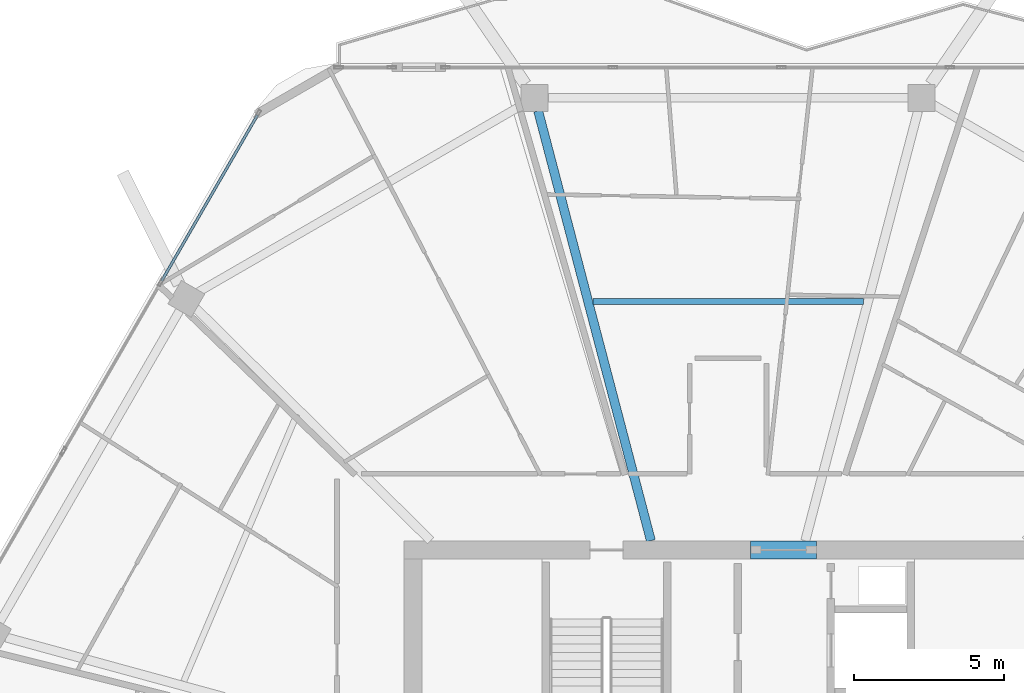
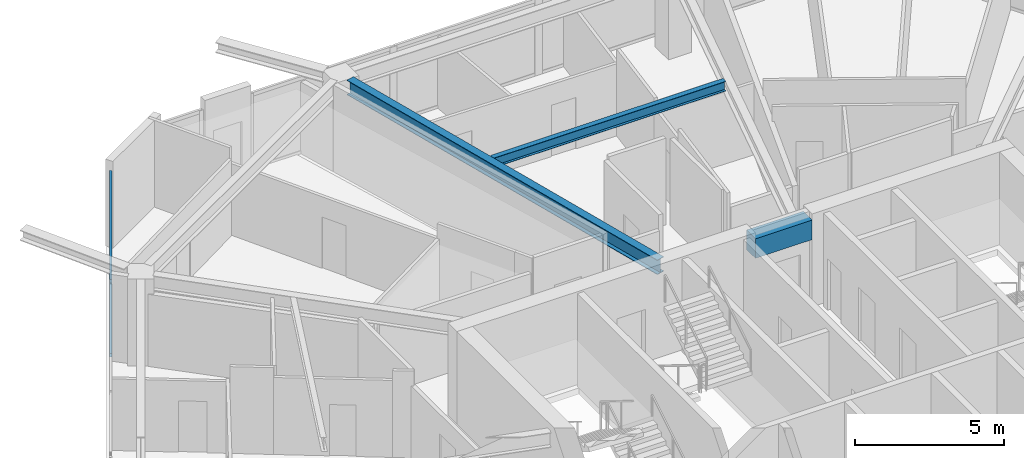
# One storey, part 12 of 26: 3 beams, 2 members, 1 element without a shape of its own.
"""IFC4 building model written with IfcOpenShell, lengths in metres."""

from ifc_helpers import new_model, si_unit, direction, frame, origin, origin_2d, place, context, subcontext, project, spatial, rectangle, hollow_rectangle, i_section, extrude, material, material_profile, profile_set, type_object, element, aggregate, save


model = new_model("IFC4")

# Units and contexts
model_context = context("Model", 3, precision=1e-05, world=origin(), true_north=direction((0.0, 1.0)))
body_context = subcontext(model_context, "Body", "Model", "MODEL_VIEW")
ifc_project = project(units=[si_unit("LENGTHUNIT", "METRE"), si_unit("AREAUNIT", "SQUARE_METRE"), si_unit("VOLUMEUNIT", "CUBIC_METRE"), si_unit("PLANEANGLEUNIT", "RADIAN"), si_unit("MASSUNIT", "GRAM", prefix="KILO")], contexts=[model_context])

# Site, building, storey
site_placement = place(None, origin())
site = spatial("IfcSite", under=ifc_project, at=site_placement, CompositionType="ELEMENT")
building_placement = place(site_placement, origin())
building = spatial("IfcBuilding", under=site, at=building_placement, Name="Zuhravey Tower", CompositionType="ELEMENT")
storey_placement = place(building_placement, frame((0.0, 0.0, 242.60009765625)))
storey = spatial("IfcBuildingStorey", under=building, at=storey_placement, Name="L61", CompositionType="ELEMENT", Elevation=242.60009765625)

# Beam
ifc_material_1 = material(Name="Concrete C50/60", Category="concrete")
ifc_material_profile_1 = material_profile(ifc_material_1, rectangle(XDim=0.60009765625, YDim=0.800048828125, at=origin_2d()), Name="RC-600x800")
ifc_profile_set_1 = profile_set([ifc_material_profile_1], Name="Concrete C50/60")
beam_type_1 = type_object("IfcBeamType", Name="Core Coupling Beam RC600x800", PredefinedType="LINTEL", material=ifc_profile_set_1)
beam_1_placement = place(storey_placement, frame((36.751953125, 41.5, 3.14990234375), z_axis=(1.0, 0.0, 0.0), x_axis=(0.0, 1.0, 0.0)))
element("IfcBeam", 1, at=beam_1_placement, inside=storey, type_object=beam_type_1, Name="L61 CB2 BM-L61-CB-N", PredefinedType="LINTEL", context=body_context, shape_type="SweptSolid", body=[
    extrude(rectangle(XDim=0.60009765625, YDim=0.800048828125, at=origin_2d()), origin(), (0.0, 0.0, 1.0), 2.196044921875),
])

# Curtain wall, members
ifc_material_2 = material(Name="Thermally broken anodised aluminium", Category="aluminium")
curtain_wall_type = type_object("IfcCurtainWallType", Name="Zone 3-4 High-Rise Curtain Wall CW4", PredefinedType="NOTDEFINED", material=ifc_material_2)
curtain_wall_placement = place(storey_placement, origin())
curtain_wall = element("IfcCurtainWall", 2, at=curtain_wall_placement, inside=storey, type_object=curtain_wall_type, Name="L61 CW4 CW-L61-F3-1", PredefinedType="NOTDEFINED")
ifc_material_3 = material(Name="Anodised aluminium", Category="aluminium")
ifc_material_profile_2 = material_profile(ifc_material_3, hollow_rectangle(XDim=0.090087890625, YDim=0.14990234375, WallThickness=0.0048828125, at=origin_2d()), Name="ALU-RHS-90x150x5")
ifc_profile_set_2 = profile_set([ifc_material_profile_2], Name="Anodised aluminium")
member_type = type_object("IfcMemberType", Name="Curtain-Wall Transom 90x150", PredefinedType="USERDEFINED", material=ifc_profile_set_2)
member_1_placement = place(storey_placement, frame((17.136962890625, 50.455322265625, 0.044921875), z_axis=(0.499980071345, 0.866036909293, 0.0), x_axis=(-0.866036909293, 0.499980071345, 0.0)))
member_1 = element("IfcMember", 3, at=member_1_placement, type_object=member_type, Name="CW4 transom 4.1", ObjectType="TRANSOM", PredefinedType="USERDEFINED", context=body_context, shape_type="SweptSolid", body=[
    extrude(hollow_rectangle(XDim=0.090087890625, YDim=0.14990234375, WallThickness=0.0048828125, at=origin_2d()), origin(), (0.0, 0.0, 1.0), 6.371337890625),
])
member_2_placement = place(storey_placement, frame((17.136962890625, 50.455322265625, 3.076904296875), z_axis=(0.499980071345, 0.866036909293, 0.0), x_axis=(-0.866036909293, 0.499980071345, 0.0)))
member_2 = element("IfcMember", 4, at=member_2_placement, type_object=member_type, Name="CW4 transom 4.2", ObjectType="TRANSOM", PredefinedType="USERDEFINED", context=body_context, shape_type="SweptSolid", body=[
    extrude(hollow_rectangle(XDim=0.090087890625, YDim=0.14990234375, WallThickness=0.0048828125, at=origin_2d()), origin(), (0.0, 0.0, 1.0), 6.371337890625),
])
aggregate(curtain_wall, [member_1, member_2])

# Beams
ifc_material_4 = material(Name="Steel SM355", Category="steel")
ifc_material_profile_3 = material_profile(ifc_material_4, i_section(OverallWidth=0.300048828125, OverallDepth=0.60009765625, WebThickness=0.011962890625, FlangeThickness=0.02001953125, at=origin_2d()), Name="H-600x300x12x20")
ifc_profile_set_3 = profile_set([ifc_material_profile_3], Name="Steel SM355")
beam_type_2 = type_object("IfcBeamType", Name="Radial Primary Girder H600x300", PredefinedType="BEAM", material=ifc_profile_set_3)
beam_2_placement = place(storey_placement, frame((33.428466796875, 41.802978515625, 3.25), z_axis=(-0.253731415841, 0.967274712073, 0.0), x_axis=(-0.967274712073, -0.253731415841, 0.0)))
element("IfcBeam", 5, at=beam_2_placement, inside=storey, type_object=beam_type_2, Name="L61 RG3 BM-L61-RAD-04", PredefinedType="BEAM", context=body_context, shape_type="SweptSolid", body=[
    extrude(i_section(OverallWidth=0.300048828125, OverallDepth=0.60009765625, WebThickness=0.011962890625, FlangeThickness=0.02001953125, at=origin_2d()), origin(), (0.0, 0.0, 1.0), 14.796630859375),
])
ifc_material_profile_4 = material_profile(ifc_material_4, i_section(OverallWidth=0.199951171875, OverallDepth=0.39990234375, WebThickness=0.008056640625, FlangeThickness=0.012939453125, at=origin_2d()), Name="H-400x200x8x13")
ifc_profile_set_4 = profile_set([ifc_material_profile_4], Name="Steel SM355")
beam_type_3 = type_object("IfcBeamType", Name="Secondary Floor Joist H400x200", PredefinedType="JOIST", material=ifc_profile_set_4)
beam_3_placement = place(storey_placement, frame((40.507080078125, 49.768310546875, 3.349853515625), z_axis=(-1.0, 0.0, 0.0), x_axis=(0.0, -1.0, 0.0)))
element("IfcBeam", 6, at=beam_3_placement, inside=storey, type_object=beam_type_3, Name="L61 SJ2 BM-L61-SJ-03-1", PredefinedType="JOIST", context=body_context, shape_type="SweptSolid", body=[
    extrude(i_section(OverallWidth=0.199951171875, OverallDepth=0.39990234375, WebThickness=0.008056640625, FlangeThickness=0.012939453125, at=origin_2d()), origin(), (0.0, 0.0, 1.0), 9.01416015625),
])

save(model, "model.ifc")
